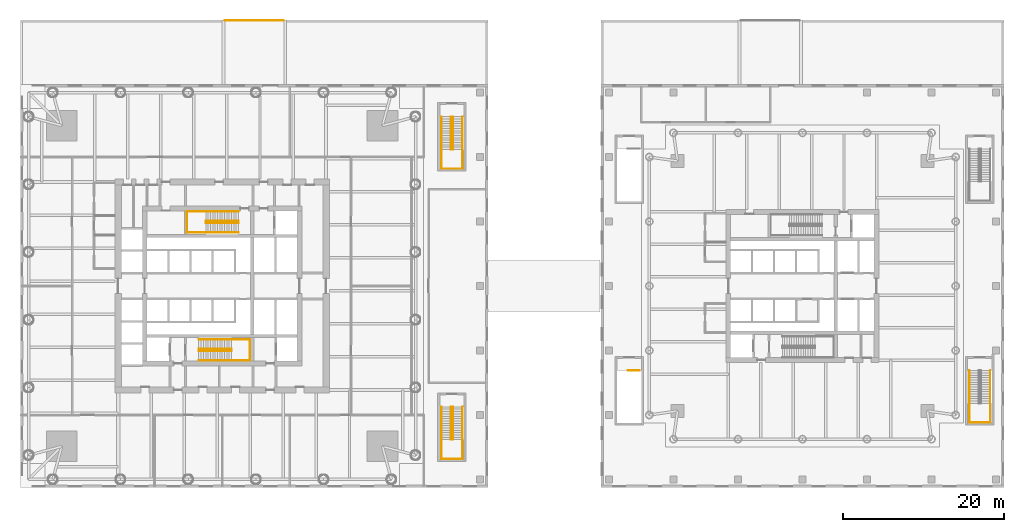
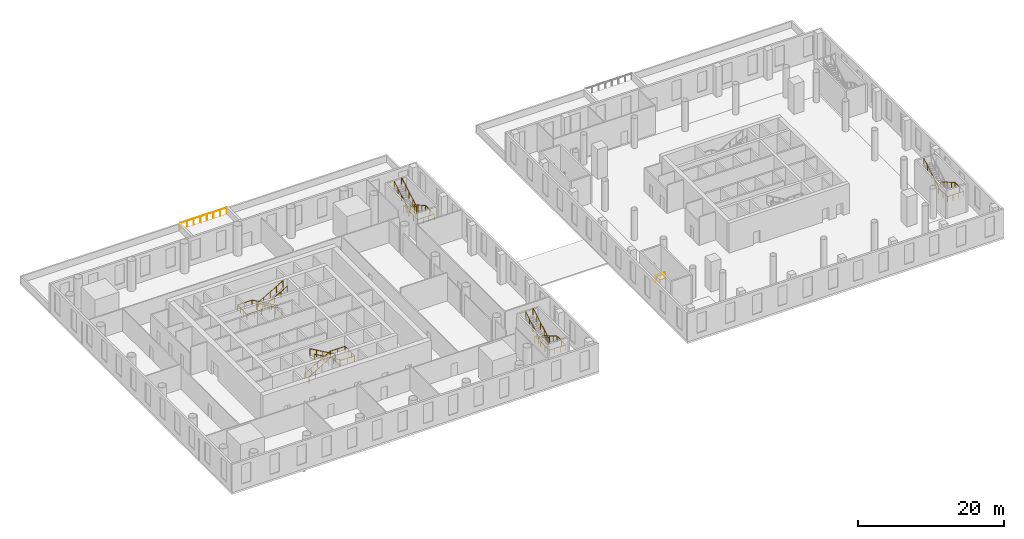
# One storey, part 15 of 16: 11 railings.
"""IFC4 building model written with IfcOpenShell, lengths in metres."""

from ifc_helpers import new_model, si_unit, direction, frame, origin, origin_2d, place, context, subcontext, project, spatial, circle, extrude, material, type_object, element, save


model = new_model("IFC4")

# Units and contexts
model_context = context("Model", 3, precision=1e-05, world=origin(), true_north=direction((0.0, 1.0)))
body_context = subcontext(model_context, "Body", "Model", "MODEL_VIEW")
ifc_project = project(units=[si_unit("LENGTHUNIT", "METRE"), si_unit("AREAUNIT", "SQUARE_METRE"), si_unit("VOLUMEUNIT", "CUBIC_METRE"), si_unit("PLANEANGLEUNIT", "RADIAN"), si_unit("MASSUNIT", "GRAM", prefix="KILO")], contexts=[model_context])

# Site, building, storey
site_placement = place(None, origin())
site = spatial("IfcSite", under=ifc_project, at=site_placement, CompositionType="ELEMENT")
building_placement = place(site_placement, origin())
building = spatial("IfcBuilding", under=site, at=building_placement, Name="Ostroluk Exchange", CompositionType="ELEMENT")
storey_placement = place(building_placement, frame((0.0, 0.0, 16.0)))
storey = spatial("IfcBuildingStorey", under=building, at=storey_placement, Name="L03", CompositionType="ELEMENT", Elevation=16.0)

# Railings
ifc_material_1 = material(Name="Stainless steel", Category="steel")
railing_type_1 = type_object("IfcRailingType", Name="Guard 1100 stainless steel", PredefinedType="GUARDRAIL", material=ifc_material_1)
railing_1_placement = place(storey_placement, frame((45.35205078125, 78.949951171875, 0.0)))
element("IfcRailing", 1, at=railing_1_placement, inside=storey, type_object=railing_type_1, Name="Terrace guard L03 1.1", PredefinedType="GUARDRAIL", context=body_context, shape_type="SweptSolid", body=[
    extrude(circle(Radius=0.02392578125, at=origin_2d()), frame((0.0, 0.0, 1.076171875), z_axis=(1.0, 0.0, 0.0), x_axis=(0.0, 1.0, 0.0)), (0.0, 0.0, 1.0), 7.2958984375),
    extrude(circle(Radius=0.02099609375, at=origin_2d()), origin(), (0.0, 0.0, 1.0), 1.052001953125),
    extrude(circle(Radius=0.02099609375, at=origin_2d()), frame((1.042236328125, 0.0, 0.0)), (0.0, 0.0, 1.0), 1.052001953125),
    extrude(circle(Radius=0.02099609375, at=origin_2d()), frame((2.08447265625, 0.0, 0.0)), (0.0, 0.0, 1.0), 1.052001953125),
    extrude(circle(Radius=0.02099609375, at=origin_2d()), frame((3.126708984375, 0.0, 0.0)), (0.0, 0.0, 1.0), 1.052001953125),
    extrude(circle(Radius=0.02099609375, at=origin_2d()), frame((4.169189453125, 0.0, 0.0)), (0.0, 0.0, 1.0), 1.052001953125),
    extrude(circle(Radius=0.02099609375, at=origin_2d()), frame((5.21142578125, 0.0, 0.0)), (0.0, 0.0, 1.0), 1.052001953125),
    extrude(circle(Radius=0.02099609375, at=origin_2d()), frame((6.253662109375, 0.0, 0.0)), (0.0, 0.0, 1.0), 1.052001953125),
    extrude(circle(Radius=0.02099609375, at=origin_2d()), frame((7.2958984375, 0.0, 0.0)), (0.0, 0.0, 1.0), 1.052001953125),
])
ifc_material_2 = material(Name="Steel S355", Category="steel")
railing_type_2 = type_object("IfcRailingType", Name="Stair guard 1100", PredefinedType="GUARDRAIL", material=ifc_material_2)
railing_2_placement = place(storey_placement, frame((42.10009765625, 38.179931640625, 0.166748046875)))
element("IfcRailing", 2, at=railing_2_placement, inside=storey, type_object=railing_type_2, Name="Stair T1-S1 guard L03", PredefinedType="GUARDRAIL", context=body_context, shape_type="SweptSolid", body=[
    extrude(circle(Radius=0.02392578125, at=origin_2d()), frame((0.0, 0.0, 1.076171875), z_axis=(0.86701161382, 0.0, 0.498287930319), x_axis=(0.0, 1.0, 0.0)), (0.0, 0.0, 1.0), 4.6826171875),
    extrude(circle(Radius=0.02392578125, at=origin_2d()), frame((4.059814453125, 0.0, 3.4091796875), z_axis=(0.0, -1.0, 0.0), x_axis=(1.0, 0.0, 0.0)), (0.0, 0.0, 1.0), 0.260009765625),
    extrude(circle(Radius=0.02392578125, at=origin_2d()), frame((4.059814453125, -0.260009765625, 3.4091796875), z_axis=(0.0, 0.0, 1.0), x_axis=(1.0, 0.0, 0.0)), (0.0, 0.0, 1.0), 0.166748046875),
    extrude(circle(Radius=0.02392578125, at=origin_2d()), frame((4.059814453125, -0.260009765625, 3.576171875), z_axis=(-0.86701161382, 0.0, 0.498287930319), x_axis=(0.0, -1.0, 0.0)), (0.0, 0.0, 1.0), 4.6826171875),
    extrude(circle(Radius=0.02099609375, at=origin_2d()), origin(), (0.0, 0.0, 1.0), 1.052001953125),
    extrude(circle(Radius=0.02099609375, at=origin_2d()), frame((1.014892578125, 0.0, 0.583251953125)), (0.0, 0.0, 1.0), 1.052001953125),
    extrude(circle(Radius=0.02099609375, at=origin_2d()), frame((2.02978515625, 0.0, 1.16650390625)), (0.0, 0.0, 1.0), 1.052001953125),
    extrude(circle(Radius=0.02099609375, at=origin_2d()), frame((3.044921875, 0.0, 1.75)), (0.0, 0.0, 1.0), 1.052001953125),
    extrude(circle(Radius=0.02099609375, at=origin_2d()), frame((4.059814453125, 0.0, 2.333251953125)), (0.0, 0.0, 1.0), 1.052001953125),
    extrude(circle(Radius=0.02099609375, at=origin_2d()), frame((4.059814453125, -0.260009765625, 2.333251953125)), (0.0, 0.0, 1.0), 1.052001953125),
    extrude(circle(Radius=0.02099609375, at=origin_2d()), frame((4.059814453125, -0.260009765625, 2.5)), (0.0, 0.0, 1.0), 1.052001953125),
    extrude(circle(Radius=0.02099609375, at=origin_2d()), frame((3.044921875, -0.260009765625, 3.083251953125)), (0.0, 0.0, 1.0), 1.052001953125),
    extrude(circle(Radius=0.02099609375, at=origin_2d()), frame((2.02978515625, -0.260009765625, 3.66650390625)), (0.0, 0.0, 1.0), 1.052001953125),
    extrude(circle(Radius=0.02099609375, at=origin_2d()), frame((1.014892578125, -0.260009765625, 4.25)), (0.0, 0.0, 1.0), 1.052001953125),
    extrude(circle(Radius=0.02099609375, at=origin_2d()), frame((0.0, -0.260009765625, 4.833251953125)), (0.0, 0.0, 1.0), 1.052001953125),
])
railing_3_placement = place(storey_placement, frame((47.030029296875, 54.080078125, 0.166748046875)))
element("IfcRailing", 3, at=railing_3_placement, inside=storey, type_object=railing_type_2, Name="Stair T1-S2 guard L03", PredefinedType="GUARDRAIL", context=body_context, shape_type="SweptSolid", body=[
    extrude(circle(Radius=0.02392578125, at=origin_2d()), frame((0.0, 0.0, 1.076171875), z_axis=(-0.867024558463, 0.0, 0.498265406207), x_axis=(0.0, -1.0, 0.0)), (0.0, 0.0, 1.0), 4.682861328125),
    extrude(circle(Radius=0.02392578125, at=origin_2d()), frame((-4.06005859375, 0.0, 3.4091796875), z_axis=(0.0, -1.0, 0.0), x_axis=(1.0, 0.0, 0.0)), (0.0, 0.0, 1.0), 0.260009765625),
    extrude(circle(Radius=0.02392578125, at=origin_2d()), frame((-4.06005859375, -0.260009765625, 3.4091796875), z_axis=(0.0, 0.0, 1.0), x_axis=(1.0, 0.0, 0.0)), (0.0, 0.0, 1.0), 0.166748046875),
    extrude(circle(Radius=0.02392578125, at=origin_2d()), frame((-4.06005859375, -0.260009765625, 3.576171875), z_axis=(0.867024558463, 0.0, 0.498265406207), x_axis=(0.0, 1.0, 0.0)), (0.0, 0.0, 1.0), 4.682861328125),
    extrude(circle(Radius=0.02099609375, at=origin_2d()), origin(), (0.0, 0.0, 1.0), 1.052001953125),
    extrude(circle(Radius=0.02099609375, at=origin_2d()), frame((-1.01513671875, 0.0, 0.583251953125)), (0.0, 0.0, 1.0), 1.052001953125),
    extrude(circle(Radius=0.02099609375, at=origin_2d()), frame((-2.030029296875, 0.0, 1.16650390625)), (0.0, 0.0, 1.0), 1.052001953125),
    extrude(circle(Radius=0.02099609375, at=origin_2d()), frame((-3.044921875, 0.0, 1.75)), (0.0, 0.0, 1.0), 1.052001953125),
    extrude(circle(Radius=0.02099609375, at=origin_2d()), frame((-4.06005859375, 0.0, 2.333251953125)), (0.0, 0.0, 1.0), 1.052001953125),
    extrude(circle(Radius=0.02099609375, at=origin_2d()), frame((-4.06005859375, -0.260009765625, 2.333251953125)), (0.0, 0.0, 1.0), 1.052001953125),
    extrude(circle(Radius=0.02099609375, at=origin_2d()), frame((-4.06005859375, -0.260009765625, 2.5)), (0.0, 0.0, 1.0), 1.052001953125),
    extrude(circle(Radius=0.02099609375, at=origin_2d()), frame((-3.044921875, -0.260009765625, 3.083251953125)), (0.0, 0.0, 1.0), 1.052001953125),
    extrude(circle(Radius=0.02099609375, at=origin_2d()), frame((-2.030029296875, -0.260009765625, 3.66650390625)), (0.0, 0.0, 1.0), 1.052001953125),
    extrude(circle(Radius=0.02099609375, at=origin_2d()), frame((-1.01513671875, -0.260009765625, 4.25)), (0.0, 0.0, 1.0), 1.052001953125),
    extrude(circle(Radius=0.02099609375, at=origin_2d()), frame((0.0, -0.260009765625, 4.833251953125)), (0.0, 0.0, 1.0), 1.052001953125),
])
railing_4_placement = place(storey_placement, frame((73.6298828125, 31.0, 0.166748046875)))
element("IfcRailing", 4, at=railing_4_placement, inside=storey, type_object=railing_type_2, Name="Stair PS3 guard L03", PredefinedType="GUARDRAIL", context=body_context, shape_type="SweptSolid", body=[
    extrude(circle(Radius=0.02392578125, at=origin_2d()), frame((0.0, 0.0, 1.076171875), z_axis=(0.0, -0.867024558463, 0.498265406207), x_axis=(1.0, 0.0, 0.0)), (0.0, 0.0, 1.0), 4.682861328125),
    extrude(circle(Radius=0.02392578125, at=origin_2d()), frame((0.0, -4.06005859375, 3.4091796875), z_axis=(-1.0, 0.0, 0.0), x_axis=(0.0, -1.0, 0.0)), (0.0, 0.0, 1.0), 0.259765625),
    extrude(circle(Radius=0.02392578125, at=origin_2d()), frame((-0.259765625, -4.06005859375, 3.4091796875), z_axis=(0.0, 0.0, 1.0), x_axis=(1.0, 0.0, 0.0)), (0.0, 0.0, 1.0), 0.166748046875),
    extrude(circle(Radius=0.02392578125, at=origin_2d()), frame((-0.259765625, -4.06005859375, 3.576171875), z_axis=(0.0, 0.867024558463, 0.498265406207), x_axis=(-1.0, 0.0, 0.0)), (0.0, 0.0, 1.0), 4.682861328125),
    extrude(circle(Radius=0.02099609375, at=origin_2d()), origin(), (0.0, 0.0, 1.0), 1.052001953125),
    extrude(circle(Radius=0.02099609375, at=origin_2d()), frame((0.0, -1.01513671875, 0.583251953125)), (0.0, 0.0, 1.0), 1.052001953125),
    extrude(circle(Radius=0.02099609375, at=origin_2d()), frame((0.0, -2.030029296875, 1.16650390625)), (0.0, 0.0, 1.0), 1.052001953125),
    extrude(circle(Radius=0.02099609375, at=origin_2d()), frame((0.0, -3.044921875, 1.75)), (0.0, 0.0, 1.0), 1.052001953125),
    extrude(circle(Radius=0.02099609375, at=origin_2d()), frame((0.0, -4.06005859375, 2.333251953125)), (0.0, 0.0, 1.0), 1.052001953125),
    extrude(circle(Radius=0.02099609375, at=origin_2d()), frame((-0.259765625, -4.06005859375, 2.333251953125)), (0.0, 0.0, 1.0), 1.052001953125),
    extrude(circle(Radius=0.02099609375, at=origin_2d()), frame((-0.259765625, -4.06005859375, 2.5)), (0.0, 0.0, 1.0), 1.052001953125),
    extrude(circle(Radius=0.02099609375, at=origin_2d()), frame((-0.259765625, -3.044921875, 3.083251953125)), (0.0, 0.0, 1.0), 1.052001953125),
    extrude(circle(Radius=0.02099609375, at=origin_2d()), frame((-0.259765625, -2.030029296875, 3.66650390625)), (0.0, 0.0, 1.0), 1.052001953125),
    extrude(circle(Radius=0.02099609375, at=origin_2d()), frame((-0.259765625, -1.01513671875, 4.25)), (0.0, 0.0, 1.0), 1.052001953125),
    extrude(circle(Radius=0.02099609375, at=origin_2d()), frame((-0.259765625, 0.0, 4.833251953125)), (0.0, 0.0, 1.0), 1.052001953125),
])
railing_5_placement = place(storey_placement, frame((73.6298828125, 67.0, 0.166748046875)))
element("IfcRailing", 5, at=railing_5_placement, inside=storey, type_object=railing_type_2, Name="Stair PS4 guard L03", PredefinedType="GUARDRAIL", context=body_context, shape_type="SweptSolid", body=[
    extrude(circle(Radius=0.02392578125, at=origin_2d()), frame((0.0, 0.0, 1.076171875), z_axis=(0.0, -0.867024558463, 0.498265406207), x_axis=(1.0, 0.0, 0.0)), (0.0, 0.0, 1.0), 4.682861328125),
    extrude(circle(Radius=0.02392578125, at=origin_2d()), frame((0.0, -4.06005859375, 3.4091796875), z_axis=(-1.0, 0.0, 0.0), x_axis=(0.0, -1.0, 0.0)), (0.0, 0.0, 1.0), 0.259765625),
    extrude(circle(Radius=0.02392578125, at=origin_2d()), frame((-0.259765625, -4.06005859375, 3.4091796875), z_axis=(0.0, 0.0, 1.0), x_axis=(1.0, 0.0, 0.0)), (0.0, 0.0, 1.0), 0.166748046875),
    extrude(circle(Radius=0.02392578125, at=origin_2d()), frame((-0.259765625, -4.06005859375, 3.576171875), z_axis=(0.0, 0.867024558463, 0.498265406207), x_axis=(-1.0, 0.0, 0.0)), (0.0, 0.0, 1.0), 4.682861328125),
    extrude(circle(Radius=0.02099609375, at=origin_2d()), origin(), (0.0, 0.0, 1.0), 1.052001953125),
    extrude(circle(Radius=0.02099609375, at=origin_2d()), frame((0.0, -1.01513671875, 0.583251953125)), (0.0, 0.0, 1.0), 1.052001953125),
    extrude(circle(Radius=0.02099609375, at=origin_2d()), frame((0.0, -2.030029296875, 1.16650390625)), (0.0, 0.0, 1.0), 1.052001953125),
    extrude(circle(Radius=0.02099609375, at=origin_2d()), frame((0.0, -3.044921875, 1.75)), (0.0, 0.0, 1.0), 1.052001953125),
    extrude(circle(Radius=0.02099609375, at=origin_2d()), frame((0.0, -4.06005859375, 2.333251953125)), (0.0, 0.0, 1.0), 1.052001953125),
    extrude(circle(Radius=0.02099609375, at=origin_2d()), frame((-0.259765625, -4.06005859375, 2.333251953125)), (0.0, 0.0, 1.0), 1.052001953125),
    extrude(circle(Radius=0.02099609375, at=origin_2d()), frame((-0.259765625, -4.06005859375, 2.5)), (0.0, 0.0, 1.0), 1.052001953125),
    extrude(circle(Radius=0.02099609375, at=origin_2d()), frame((-0.259765625, -3.044921875, 3.083251953125)), (0.0, 0.0, 1.0), 1.052001953125),
    extrude(circle(Radius=0.02099609375, at=origin_2d()), frame((-0.259765625, -2.030029296875, 3.66650390625)), (0.0, 0.0, 1.0), 1.052001953125),
    extrude(circle(Radius=0.02099609375, at=origin_2d()), frame((-0.259765625, -1.01513671875, 4.25)), (0.0, 0.0, 1.0), 1.052001953125),
    extrude(circle(Radius=0.02099609375, at=origin_2d()), frame((-0.259765625, 0.0, 4.833251953125)), (0.0, 0.0, 1.0), 1.052001953125),
])
railing_6_placement = place(storey_placement, frame((96.800048828125, 35.530029296875, 0.0)))
element("IfcRailing", 6, at=railing_6_placement, inside=storey, type_object=railing_type_2, Name="Stair PS5 well guard L03", PredefinedType="GUARDRAIL", context=body_context, shape_type="SweptSolid", body=[
    extrude(circle(Radius=0.02392578125, at=origin_2d()), frame((0.0, 0.0, 1.076171875), z_axis=(-1.0, 0.0, 0.0), x_axis=(0.0, -1.0, 0.0)), (0.0, 0.0, 1.0), 1.429931640625),
    extrude(circle(Radius=0.02099609375, at=origin_2d()), origin(), (0.0, 0.0, 1.0), 1.052001953125),
    extrude(circle(Radius=0.02099609375, at=origin_2d()), frame((-0.71484375, 0.0, 0.0)), (0.0, 0.0, 1.0), 1.052001953125),
    extrude(circle(Radius=0.02099609375, at=origin_2d()), frame((-1.429931640625, 0.0, 0.0)), (0.0, 0.0, 1.0), 1.052001953125),
])
ifc_material_3 = material(Name="Stainless steel", Category="steel")
railing_type_3 = type_object("IfcRailingType", Name="Stair handrail 900", PredefinedType="HANDRAIL", material=ifc_material_3)
railing_7_placement = place(storey_placement, frame((42.10009765625, 39.35009765625, 0.166748046875)))
element("IfcRailing", 7, at=railing_7_placement, inside=storey, type_object=railing_type_3, Name="Stair T1-S1 handrail L03", PredefinedType="HANDRAIL", context=body_context, shape_type="SweptSolid", body=[
    extrude(circle(Radius=0.02392578125, at=origin_2d()), frame((0.0, 0.0, 0.8759765625), z_axis=(0.86701161382, 0.0, 0.498287930319), x_axis=(0.0, 1.0, 0.0)), (0.0, 0.0, 1.0), 4.6826171875),
    extrude(circle(Radius=0.02392578125, at=origin_2d()), frame((4.059814453125, 0.0, 3.208984375), z_axis=(1.0, 0.0, 0.0), x_axis=(0.0, 1.0, 0.0)), (0.0, 0.0, 1.0), 2.320068359375),
    extrude(circle(Radius=0.02392578125, at=origin_2d()), frame((6.3798828125, 0.0, 3.208984375), z_axis=(0.0, -1.0, 0.0), x_axis=(1.0, 0.0, 0.0)), (0.0, 0.0, 1.0), 2.60009765625),
    extrude(circle(Radius=0.02392578125, at=origin_2d()), frame((6.3798828125, -2.60009765625, 3.208984375), z_axis=(-1.0, 0.0, 0.0), x_axis=(0.0, -1.0, 0.0)), (0.0, 0.0, 1.0), 2.320068359375),
    extrude(circle(Radius=0.02392578125, at=origin_2d()), frame((4.059814453125, -2.60009765625, 3.208984375), z_axis=(0.0, 0.0, 1.0), x_axis=(1.0, 0.0, 0.0)), (0.0, 0.0, 1.0), 0.166748046875),
    extrude(circle(Radius=0.02392578125, at=origin_2d()), frame((4.059814453125, -2.60009765625, 3.3759765625), z_axis=(-0.86701161382, 0.0, 0.498287930319), x_axis=(0.0, -1.0, 0.0)), (0.0, 0.0, 1.0), 4.6826171875),
    extrude(circle(Radius=0.02099609375, at=origin_2d()), origin(), (0.0, 0.0, 1.0), 0.851806640625),
    extrude(circle(Radius=0.02099609375, at=origin_2d()), frame((1.014892578125, 0.0, 0.583251953125)), (0.0, 0.0, 1.0), 0.851806640625),
    extrude(circle(Radius=0.02099609375, at=origin_2d()), frame((2.02978515625, 0.0, 1.16650390625)), (0.0, 0.0, 1.0), 0.851806640625),
    extrude(circle(Radius=0.02099609375, at=origin_2d()), frame((3.044921875, 0.0, 1.75)), (0.0, 0.0, 1.0), 0.851806640625),
    extrude(circle(Radius=0.02099609375, at=origin_2d()), frame((4.059814453125, 0.0, 2.333251953125)), (0.0, 0.0, 1.0), 0.851806640625),
    extrude(circle(Radius=0.02099609375, at=origin_2d()), frame((5.2197265625, 0.0, 2.333251953125)), (0.0, 0.0, 1.0), 0.851806640625),
    extrude(circle(Radius=0.02099609375, at=origin_2d()), frame((6.3798828125, 0.0, 2.333251953125)), (0.0, 0.0, 1.0), 0.851806640625),
    extrude(circle(Radius=0.02099609375, at=origin_2d()), frame((6.3798828125, -0.86669921875, 2.333251953125)), (0.0, 0.0, 1.0), 0.851806640625),
    extrude(circle(Radius=0.02099609375, at=origin_2d()), frame((6.3798828125, -1.7333984375, 2.333251953125)), (0.0, 0.0, 1.0), 0.851806640625),
    extrude(circle(Radius=0.02099609375, at=origin_2d()), frame((6.3798828125, -2.60009765625, 2.333251953125)), (0.0, 0.0, 1.0), 0.851806640625),
    extrude(circle(Radius=0.02099609375, at=origin_2d()), frame((5.2197265625, -2.60009765625, 2.333251953125)), (0.0, 0.0, 1.0), 0.851806640625),
    extrude(circle(Radius=0.02099609375, at=origin_2d()), frame((4.059814453125, -2.60009765625, 2.333251953125)), (0.0, 0.0, 1.0), 0.851806640625),
    extrude(circle(Radius=0.02099609375, at=origin_2d()), frame((4.059814453125, -2.60009765625, 2.5)), (0.0, 0.0, 1.0), 0.851806640625),
    extrude(circle(Radius=0.02099609375, at=origin_2d()), frame((3.044921875, -2.60009765625, 3.083251953125)), (0.0, 0.0, 1.0), 0.851806640625),
    extrude(circle(Radius=0.02099609375, at=origin_2d()), frame((2.02978515625, -2.60009765625, 3.66650390625)), (0.0, 0.0, 1.0), 0.851806640625),
    extrude(circle(Radius=0.02099609375, at=origin_2d()), frame((1.014892578125, -2.60009765625, 4.25)), (0.0, 0.0, 1.0), 0.851806640625),
    extrude(circle(Radius=0.02099609375, at=origin_2d()), frame((0.0, -2.60009765625, 4.833251953125)), (0.0, 0.0, 1.0), 0.851806640625),
])
railing_8_placement = place(storey_placement, frame((47.030029296875, 55.25, 0.166748046875)))
element("IfcRailing", 8, at=railing_8_placement, inside=storey, type_object=railing_type_3, Name="Stair T1-S2 handrail L03", PredefinedType="HANDRAIL", context=body_context, shape_type="SweptSolid", body=[
    extrude(circle(Radius=0.02392578125, at=origin_2d()), frame((0.0, 0.0, 0.8759765625), z_axis=(-0.867024558463, 0.0, 0.498265406207), x_axis=(0.0, -1.0, 0.0)), (0.0, 0.0, 1.0), 4.682861328125),
    extrude(circle(Radius=0.02392578125, at=origin_2d()), frame((-4.06005859375, 0.0, 3.208984375), z_axis=(-1.0, 0.0, 0.0), x_axis=(0.0, -1.0, 0.0)), (0.0, 0.0, 1.0), 2.320068359375),
    extrude(circle(Radius=0.02392578125, at=origin_2d()), frame((-6.380126953125, 0.0, 3.208984375), z_axis=(0.0, -1.0, 0.0), x_axis=(1.0, 0.0, 0.0)), (0.0, 0.0, 1.0), 2.60009765625),
    extrude(circle(Radius=0.02392578125, at=origin_2d()), frame((-6.380126953125, -2.60009765625, 3.208984375), z_axis=(1.0, 0.0, 0.0), x_axis=(0.0, 1.0, 0.0)), (0.0, 0.0, 1.0), 2.320068359375),
    extrude(circle(Radius=0.02392578125, at=origin_2d()), frame((-4.06005859375, -2.60009765625, 3.208984375), z_axis=(0.0, 0.0, 1.0), x_axis=(1.0, 0.0, 0.0)), (0.0, 0.0, 1.0), 0.166748046875),
    extrude(circle(Radius=0.02392578125, at=origin_2d()), frame((-4.06005859375, -2.60009765625, 3.3759765625), z_axis=(0.867024558463, 0.0, 0.498265406207), x_axis=(0.0, 1.0, 0.0)), (0.0, 0.0, 1.0), 4.682861328125),
    extrude(circle(Radius=0.02099609375, at=origin_2d()), origin(), (0.0, 0.0, 1.0), 0.851806640625),
    extrude(circle(Radius=0.02099609375, at=origin_2d()), frame((-1.01513671875, 0.0, 0.583251953125)), (0.0, 0.0, 1.0), 0.851806640625),
    extrude(circle(Radius=0.02099609375, at=origin_2d()), frame((-2.030029296875, 0.0, 1.16650390625)), (0.0, 0.0, 1.0), 0.851806640625),
    extrude(circle(Radius=0.02099609375, at=origin_2d()), frame((-3.044921875, 0.0, 1.75)), (0.0, 0.0, 1.0), 0.851806640625),
    extrude(circle(Radius=0.02099609375, at=origin_2d()), frame((-4.06005859375, 0.0, 2.333251953125)), (0.0, 0.0, 1.0), 0.851806640625),
    extrude(circle(Radius=0.02099609375, at=origin_2d()), frame((-5.22021484375, 0.0, 2.333251953125)), (0.0, 0.0, 1.0), 0.851806640625),
    extrude(circle(Radius=0.02099609375, at=origin_2d()), frame((-6.380126953125, 0.0, 2.333251953125)), (0.0, 0.0, 1.0), 0.851806640625),
    extrude(circle(Radius=0.02099609375, at=origin_2d()), frame((-6.380126953125, -0.86669921875, 2.333251953125)), (0.0, 0.0, 1.0), 0.851806640625),
    extrude(circle(Radius=0.02099609375, at=origin_2d()), frame((-6.380126953125, -1.7333984375, 2.333251953125)), (0.0, 0.0, 1.0), 0.851806640625),
    extrude(circle(Radius=0.02099609375, at=origin_2d()), frame((-6.380126953125, -2.60009765625, 2.333251953125)), (0.0, 0.0, 1.0), 0.851806640625),
    extrude(circle(Radius=0.02099609375, at=origin_2d()), frame((-5.22021484375, -2.60009765625, 2.333251953125)), (0.0, 0.0, 1.0), 0.851806640625),
    extrude(circle(Radius=0.02099609375, at=origin_2d()), frame((-4.06005859375, -2.60009765625, 2.333251953125)), (0.0, 0.0, 1.0), 0.851806640625),
    extrude(circle(Radius=0.02099609375, at=origin_2d()), frame((-4.06005859375, -2.60009765625, 2.5)), (0.0, 0.0, 1.0), 0.851806640625),
    extrude(circle(Radius=0.02099609375, at=origin_2d()), frame((-3.044921875, -2.60009765625, 3.083251953125)), (0.0, 0.0, 1.0), 0.851806640625),
    extrude(circle(Radius=0.02099609375, at=origin_2d()), frame((-2.030029296875, -2.60009765625, 3.66650390625)), (0.0, 0.0, 1.0), 0.851806640625),
    extrude(circle(Radius=0.02099609375, at=origin_2d()), frame((-1.01513671875, -2.60009765625, 4.25)), (0.0, 0.0, 1.0), 0.851806640625),
    extrude(circle(Radius=0.02099609375, at=origin_2d()), frame((0.0, -2.60009765625, 4.833251953125)), (0.0, 0.0, 1.0), 0.851806640625),
])
railing_9_placement = place(storey_placement, frame((74.800048828125, 31.0, 0.166748046875)))
element("IfcRailing", 9, at=railing_9_placement, inside=storey, type_object=railing_type_3, Name="Stair PS3 handrail L03", PredefinedType="HANDRAIL", context=body_context, shape_type="SweptSolid", body=[
    extrude(circle(Radius=0.02392578125, at=origin_2d()), frame((0.0, 0.0, 0.8759765625), z_axis=(0.0, -0.867024558463, 0.498265406207), x_axis=(1.0, 0.0, 0.0)), (0.0, 0.0, 1.0), 4.682861328125),
    extrude(circle(Radius=0.02392578125, at=origin_2d()), frame((0.0, -4.06005859375, 3.208984375), z_axis=(0.0, -1.0, 0.0), x_axis=(1.0, 0.0, 0.0)), (0.0, 0.0, 1.0), 2.389892578125),
    extrude(circle(Radius=0.02392578125, at=origin_2d()), frame((0.0, -6.449951171875, 3.208984375), z_axis=(-1.0, 0.0, 0.0), x_axis=(0.0, -1.0, 0.0)), (0.0, 0.0, 1.0), 2.60009765625),
    extrude(circle(Radius=0.02392578125, at=origin_2d()), frame((-2.60009765625, -6.449951171875, 3.208984375), z_axis=(0.0, 1.0, 0.0), x_axis=(-1.0, 0.0, 0.0)), (0.0, 0.0, 1.0), 2.389892578125),
    extrude(circle(Radius=0.02392578125, at=origin_2d()), frame((-2.60009765625, -4.06005859375, 3.208984375), z_axis=(0.0, 0.0, 1.0), x_axis=(1.0, 0.0, 0.0)), (0.0, 0.0, 1.0), 0.166748046875),
    extrude(circle(Radius=0.02392578125, at=origin_2d()), frame((-2.60009765625, -4.06005859375, 3.3759765625), z_axis=(0.0, 0.867024558463, 0.498265406207), x_axis=(-1.0, 0.0, 0.0)), (0.0, 0.0, 1.0), 4.682861328125),
    extrude(circle(Radius=0.02099609375, at=origin_2d()), origin(), (0.0, 0.0, 1.0), 0.851806640625),
    extrude(circle(Radius=0.02099609375, at=origin_2d()), frame((0.0, -1.01513671875, 0.583251953125)), (0.0, 0.0, 1.0), 0.851806640625),
    extrude(circle(Radius=0.02099609375, at=origin_2d()), frame((0.0, -2.030029296875, 1.16650390625)), (0.0, 0.0, 1.0), 0.851806640625),
    extrude(circle(Radius=0.02099609375, at=origin_2d()), frame((0.0, -3.044921875, 1.75)), (0.0, 0.0, 1.0), 0.851806640625),
    extrude(circle(Radius=0.02099609375, at=origin_2d()), frame((0.0, -4.06005859375, 2.333251953125)), (0.0, 0.0, 1.0), 0.851806640625),
    extrude(circle(Radius=0.02099609375, at=origin_2d()), frame((0.0, -5.2548828125, 2.333251953125)), (0.0, 0.0, 1.0), 0.851806640625),
    extrude(circle(Radius=0.02099609375, at=origin_2d()), frame((0.0, -6.449951171875, 2.333251953125)), (0.0, 0.0, 1.0), 0.851806640625),
    extrude(circle(Radius=0.02099609375, at=origin_2d()), frame((-0.86669921875, -6.449951171875, 2.333251953125)), (0.0, 0.0, 1.0), 0.851806640625),
    extrude(circle(Radius=0.02099609375, at=origin_2d()), frame((-1.7333984375, -6.449951171875, 2.333251953125)), (0.0, 0.0, 1.0), 0.851806640625),
    extrude(circle(Radius=0.02099609375, at=origin_2d()), frame((-2.60009765625, -6.449951171875, 2.333251953125)), (0.0, 0.0, 1.0), 0.851806640625),
    extrude(circle(Radius=0.02099609375, at=origin_2d()), frame((-2.60009765625, -5.2548828125, 2.333251953125)), (0.0, 0.0, 1.0), 0.851806640625),
    extrude(circle(Radius=0.02099609375, at=origin_2d()), frame((-2.60009765625, -4.06005859375, 2.333251953125)), (0.0, 0.0, 1.0), 0.851806640625),
    extrude(circle(Radius=0.02099609375, at=origin_2d()), frame((-2.60009765625, -4.06005859375, 2.5)), (0.0, 0.0, 1.0), 0.851806640625),
    extrude(circle(Radius=0.02099609375, at=origin_2d()), frame((-2.60009765625, -3.044921875, 3.083251953125)), (0.0, 0.0, 1.0), 0.851806640625),
    extrude(circle(Radius=0.02099609375, at=origin_2d()), frame((-2.60009765625, -2.030029296875, 3.66650390625)), (0.0, 0.0, 1.0), 0.851806640625),
    extrude(circle(Radius=0.02099609375, at=origin_2d()), frame((-2.60009765625, -1.01513671875, 4.25)), (0.0, 0.0, 1.0), 0.851806640625),
    extrude(circle(Radius=0.02099609375, at=origin_2d()), frame((-2.60009765625, 0.0, 4.833251953125)), (0.0, 0.0, 1.0), 0.851806640625),
])
railing_10_placement = place(storey_placement, frame((74.800048828125, 67.0, 0.166748046875)))
element("IfcRailing", 10, at=railing_10_placement, inside=storey, type_object=railing_type_3, Name="Stair PS4 handrail L03", PredefinedType="HANDRAIL", context=body_context, shape_type="SweptSolid", body=[
    extrude(circle(Radius=0.02392578125, at=origin_2d()), frame((0.0, 0.0, 0.8759765625), z_axis=(0.0, -0.867024558463, 0.498265406207), x_axis=(1.0, 0.0, 0.0)), (0.0, 0.0, 1.0), 4.682861328125),
    extrude(circle(Radius=0.02392578125, at=origin_2d()), frame((0.0, -4.06005859375, 3.208984375), z_axis=(0.0, -1.0, 0.0), x_axis=(1.0, 0.0, 0.0)), (0.0, 0.0, 1.0), 2.389892578125),
    extrude(circle(Radius=0.02392578125, at=origin_2d()), frame((0.0, -6.449951171875, 3.208984375), z_axis=(-1.0, 0.0, 0.0), x_axis=(0.0, -1.0, 0.0)), (0.0, 0.0, 1.0), 2.60009765625),
    extrude(circle(Radius=0.02392578125, at=origin_2d()), frame((-2.60009765625, -6.449951171875, 3.208984375), z_axis=(0.0, 1.0, 0.0), x_axis=(-1.0, 0.0, 0.0)), (0.0, 0.0, 1.0), 2.389892578125),
    extrude(circle(Radius=0.02392578125, at=origin_2d()), frame((-2.60009765625, -4.06005859375, 3.208984375), z_axis=(0.0, 0.0, 1.0), x_axis=(1.0, 0.0, 0.0)), (0.0, 0.0, 1.0), 0.166748046875),
    extrude(circle(Radius=0.02392578125, at=origin_2d()), frame((-2.60009765625, -4.06005859375, 3.3759765625), z_axis=(0.0, 0.867024558463, 0.498265406207), x_axis=(-1.0, 0.0, 0.0)), (0.0, 0.0, 1.0), 4.682861328125),
    extrude(circle(Radius=0.02099609375, at=origin_2d()), origin(), (0.0, 0.0, 1.0), 0.851806640625),
    extrude(circle(Radius=0.02099609375, at=origin_2d()), frame((0.0, -1.01513671875, 0.583251953125)), (0.0, 0.0, 1.0), 0.851806640625),
    extrude(circle(Radius=0.02099609375, at=origin_2d()), frame((0.0, -2.030029296875, 1.16650390625)), (0.0, 0.0, 1.0), 0.851806640625),
    extrude(circle(Radius=0.02099609375, at=origin_2d()), frame((0.0, -3.044921875, 1.75)), (0.0, 0.0, 1.0), 0.851806640625),
    extrude(circle(Radius=0.02099609375, at=origin_2d()), frame((0.0, -4.06005859375, 2.333251953125)), (0.0, 0.0, 1.0), 0.851806640625),
    extrude(circle(Radius=0.02099609375, at=origin_2d()), frame((0.0, -5.2548828125, 2.333251953125)), (0.0, 0.0, 1.0), 0.851806640625),
    extrude(circle(Radius=0.02099609375, at=origin_2d()), frame((0.0, -6.449951171875, 2.333251953125)), (0.0, 0.0, 1.0), 0.851806640625),
    extrude(circle(Radius=0.02099609375, at=origin_2d()), frame((-0.86669921875, -6.449951171875, 2.333251953125)), (0.0, 0.0, 1.0), 0.851806640625),
    extrude(circle(Radius=0.02099609375, at=origin_2d()), frame((-1.7333984375, -6.449951171875, 2.333251953125)), (0.0, 0.0, 1.0), 0.851806640625),
    extrude(circle(Radius=0.02099609375, at=origin_2d()), frame((-2.60009765625, -6.449951171875, 2.333251953125)), (0.0, 0.0, 1.0), 0.851806640625),
    extrude(circle(Radius=0.02099609375, at=origin_2d()), frame((-2.60009765625, -5.2548828125, 2.333251953125)), (0.0, 0.0, 1.0), 0.851806640625),
    extrude(circle(Radius=0.02099609375, at=origin_2d()), frame((-2.60009765625, -4.06005859375, 2.333251953125)), (0.0, 0.0, 1.0), 0.851806640625),
    extrude(circle(Radius=0.02099609375, at=origin_2d()), frame((-2.60009765625, -4.06005859375, 2.5)), (0.0, 0.0, 1.0), 0.851806640625),
    extrude(circle(Radius=0.02099609375, at=origin_2d()), frame((-2.60009765625, -3.044921875, 3.083251953125)), (0.0, 0.0, 1.0), 0.851806640625),
    extrude(circle(Radius=0.02099609375, at=origin_2d()), frame((-2.60009765625, -2.030029296875, 3.66650390625)), (0.0, 0.0, 1.0), 0.851806640625),
    extrude(circle(Radius=0.02099609375, at=origin_2d()), frame((-2.60009765625, -1.01513671875, 4.25)), (0.0, 0.0, 1.0), 0.851806640625),
    extrude(circle(Radius=0.02099609375, at=origin_2d()), frame((-2.60009765625, 0.0, 4.833251953125)), (0.0, 0.0, 1.0), 0.851806640625),
])
railing_11_placement = place(storey_placement, frame((140.300048828125, 35.5, 0.166748046875)))
element("IfcRailing", 11, at=railing_11_placement, inside=storey, type_object=railing_type_3, Name="Stair PS7 handrail L03", PredefinedType="HANDRAIL", context=body_context, shape_type="SweptSolid", body=[
    extrude(circle(Radius=0.02392578125, at=origin_2d()), frame((0.0, 0.0, 0.8759765625), z_axis=(0.0, -0.867024558463, 0.498265406207), x_axis=(1.0, 0.0, 0.0)), (0.0, 0.0, 1.0), 4.682861328125),
    extrude(circle(Radius=0.02392578125, at=origin_2d()), frame((0.0, -4.06005859375, 3.208984375), z_axis=(0.0, -1.0, 0.0), x_axis=(1.0, 0.0, 0.0)), (0.0, 0.0, 1.0), 2.389892578125),
    extrude(circle(Radius=0.02392578125, at=origin_2d()), frame((0.0, -6.449951171875, 3.208984375), z_axis=(-1.0, 0.0, 0.0), x_axis=(0.0, -1.0, 0.0)), (0.0, 0.0, 1.0), 2.60009765625),
    extrude(circle(Radius=0.02392578125, at=origin_2d()), frame((-2.60009765625, -6.449951171875, 3.208984375), z_axis=(0.0, 1.0, 0.0), x_axis=(-1.0, 0.0, 0.0)), (0.0, 0.0, 1.0), 2.389892578125),
    extrude(circle(Radius=0.02392578125, at=origin_2d()), frame((-2.60009765625, -4.06005859375, 3.208984375), z_axis=(0.0, 0.0, 1.0), x_axis=(1.0, 0.0, 0.0)), (0.0, 0.0, 1.0), 0.166748046875),
    extrude(circle(Radius=0.02392578125, at=origin_2d()), frame((-2.60009765625, -4.06005859375, 3.3759765625), z_axis=(0.0, 0.867024558463, 0.498265406207), x_axis=(-1.0, 0.0, 0.0)), (0.0, 0.0, 1.0), 4.682861328125),
    extrude(circle(Radius=0.02099609375, at=origin_2d()), origin(), (0.0, 0.0, 1.0), 0.851806640625),
    extrude(circle(Radius=0.02099609375, at=origin_2d()), frame((0.0, -1.01513671875, 0.583251953125)), (0.0, 0.0, 1.0), 0.851806640625),
    extrude(circle(Radius=0.02099609375, at=origin_2d()), frame((0.0, -2.030029296875, 1.16650390625)), (0.0, 0.0, 1.0), 0.851806640625),
    extrude(circle(Radius=0.02099609375, at=origin_2d()), frame((0.0, -3.044921875, 1.75)), (0.0, 0.0, 1.0), 0.851806640625),
    extrude(circle(Radius=0.02099609375, at=origin_2d()), frame((0.0, -4.06005859375, 2.333251953125)), (0.0, 0.0, 1.0), 0.851806640625),
    extrude(circle(Radius=0.02099609375, at=origin_2d()), frame((0.0, -5.2548828125, 2.333251953125)), (0.0, 0.0, 1.0), 0.851806640625),
    extrude(circle(Radius=0.02099609375, at=origin_2d()), frame((0.0, -6.449951171875, 2.333251953125)), (0.0, 0.0, 1.0), 0.851806640625),
    extrude(circle(Radius=0.02099609375, at=origin_2d()), frame((-0.86669921875, -6.449951171875, 2.333251953125)), (0.0, 0.0, 1.0), 0.851806640625),
    extrude(circle(Radius=0.02099609375, at=origin_2d()), frame((-1.7333984375, -6.449951171875, 2.333251953125)), (0.0, 0.0, 1.0), 0.851806640625),
    extrude(circle(Radius=0.02099609375, at=origin_2d()), frame((-2.60009765625, -6.449951171875, 2.333251953125)), (0.0, 0.0, 1.0), 0.851806640625),
    extrude(circle(Radius=0.02099609375, at=origin_2d()), frame((-2.60009765625, -5.2548828125, 2.333251953125)), (0.0, 0.0, 1.0), 0.851806640625),
    extrude(circle(Radius=0.02099609375, at=origin_2d()), frame((-2.60009765625, -4.06005859375, 2.333251953125)), (0.0, 0.0, 1.0), 0.851806640625),
    extrude(circle(Radius=0.02099609375, at=origin_2d()), frame((-2.60009765625, -4.06005859375, 2.5)), (0.0, 0.0, 1.0), 0.851806640625),
    extrude(circle(Radius=0.02099609375, at=origin_2d()), frame((-2.60009765625, -3.044921875, 3.083251953125)), (0.0, 0.0, 1.0), 0.851806640625),
    extrude(circle(Radius=0.02099609375, at=origin_2d()), frame((-2.60009765625, -2.030029296875, 3.66650390625)), (0.0, 0.0, 1.0), 0.851806640625),
    extrude(circle(Radius=0.02099609375, at=origin_2d()), frame((-2.60009765625, -1.01513671875, 4.25)), (0.0, 0.0, 1.0), 0.851806640625),
    extrude(circle(Radius=0.02099609375, at=origin_2d()), frame((-2.60009765625, 0.0, 4.833251953125)), (0.0, 0.0, 1.0), 0.851806640625),
])

save(model, "model.ifc")
